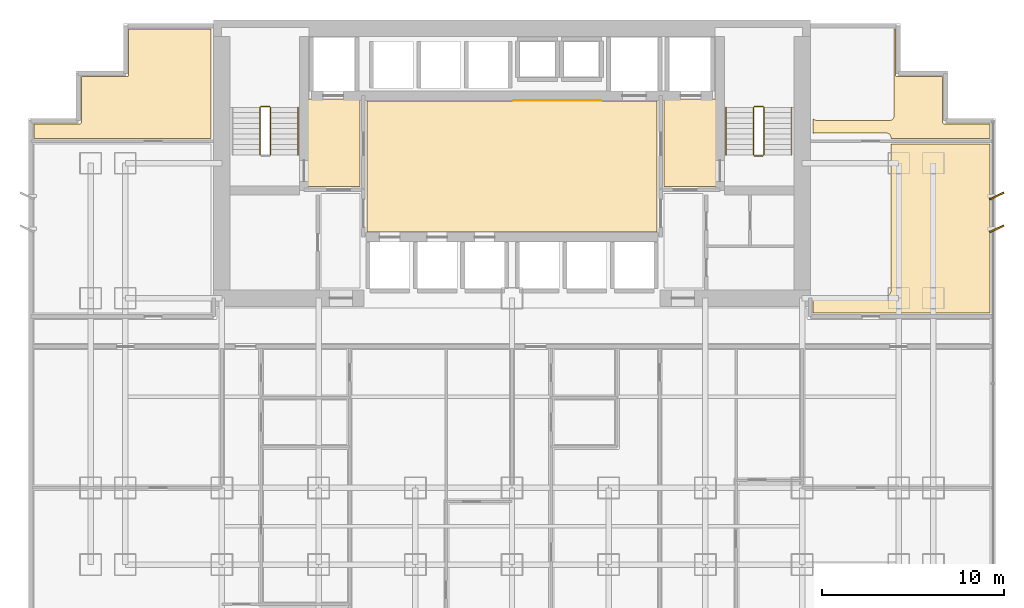
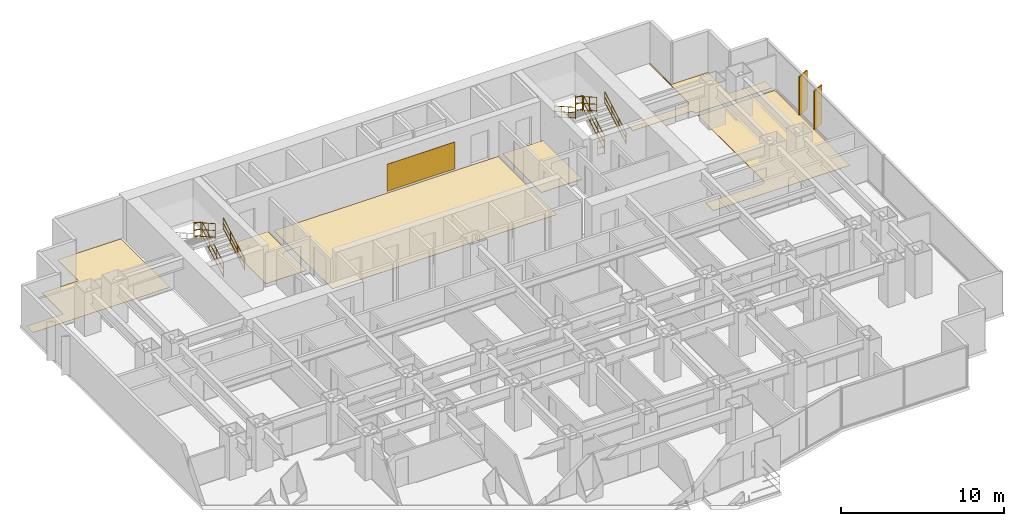
# One storey, part 12 of 12: 10 railings, 7 coverings, 2 shading devices.
"""IFC4 building model written with IfcOpenShell, lengths in metres."""

from ifc_helpers import new_model, si_unit, direction, frame, origin, origin_2d, place, context, subcontext, project, spatial, polyline, rectangle, circle, outline, extrude, source, transform, mapped, material, layer, layer_set, type_object, element, save


model = new_model("IFC4")

# Units and contexts
model_context = context("Model", 3, precision=1e-05, world=origin(), true_north=direction((0.0, 1.0)))
body_context = subcontext(model_context, "Body", "Model", "MODEL_VIEW")
ifc_project = project(units=[si_unit("LENGTHUNIT", "METRE"), si_unit("AREAUNIT", "SQUARE_METRE"), si_unit("VOLUMEUNIT", "CUBIC_METRE"), si_unit("PLANEANGLEUNIT", "RADIAN"), si_unit("MASSUNIT", "GRAM", prefix="KILO")], contexts=[model_context])

# Site, building, storey
site_placement = place(None, origin())
site = spatial("IfcSite", under=ifc_project, at=site_placement, CompositionType="ELEMENT")
building_placement = place(site_placement, origin())
building = spatial("IfcBuilding", under=site, at=building_placement, Name="Qianlan Lanfeng Residences", CompositionType="ELEMENT")
storey_placement = place(building_placement, frame((0.0, 0.0, 44.0)))
storey = spatial("IfcBuildingStorey", under=building, at=storey_placement, Name="L11", CompositionType="ELEMENT", Elevation=44.0)

# Coverings
ifc_material_1 = material(Name="Anodised Bronze Feature Wall Cladding")
ifc_layer_1 = layer(ifc_material_1, 0.02490234375)
ifc_layer_set_1 = layer_set([ifc_layer_1], Name="Anodised Bronze Feature Wall Cladding")
covering_type_1 = type_object("IfcCoveringType", Name="CLD-BRZ-25", PredefinedType="CLADDING", material=ifc_layer_set_1)
covering_1_placement = place(storey_placement, frame((0.0, 0.0, 0.14990234375)))
element("IfcCovering", 1, at=covering_1_placement, inside=storey, type_object=covering_type_1, Name="L11 Lift Lobby Bronze Feature Cladding", PredefinedType="CLADDING", context=body_context, shape_type="SweptSolid", body=[
    extrude(outline(polyline([(26.60009765625, 36.02490234375), (31.39990234375, 36.02490234375), (31.39990234375, 36.050048828125), (26.60009765625, 36.050048828125), (26.60009765625, 36.02490234375)])), origin(), (0.0, 0.0, 1.0), 2.02001953125),
])
ifc_material_2 = material(Name="Honed Taitung Granite Stone Flooring", Category="masonry")
ifc_layer_2 = layer(ifc_material_2, 0.030029296875)
ifc_layer_set_2 = layer_set([ifc_layer_2], Name="Honed Taitung Granite Stone Flooring")
covering_type_2 = type_object("IfcCoveringType", Name="FLR-STN-30", PredefinedType="FLOORING", material=ifc_layer_set_2)
covering_2_placement = place(storey_placement, origin())
element("IfcCovering", 2, at=covering_2_placement, inside=storey, type_object=covering_type_2, Name="L11 Firefighting Lift Lobby Floor Finish", PredefinedType="FLOORING", context=body_context, shape_type="SweptSolid", body=[
    extrude(outline(polyline([(15.2900390625, 31.320068359375), (18.179931640625, 31.320068359375), (18.179931640625, 36.110107421875), (15.2900390625, 36.110107421875), (15.2900390625, 31.320068359375)])), origin(), (0.0, 0.0, 1.0), 0.030029296875),
])
covering_3_placement = place(storey_placement, origin())
element("IfcCovering", 3, at=covering_3_placement, inside=storey, type_object=covering_type_2, Name="L11 Firefighting Lift Lobby Floor Finish", PredefinedType="FLOORING", context=body_context, shape_type="SweptSolid", body=[
    extrude(outline(polyline([(34.820068359375, 31.320068359375), (37.7099609375, 31.320068359375), (37.7099609375, 36.110107421875), (34.820068359375, 36.110107421875), (34.820068359375, 31.320068359375)])), origin(), (0.0, 0.0, 1.0), 0.030029296875),
])
covering_4_placement = place(storey_placement, origin())
element("IfcCovering", 4, at=covering_4_placement, inside=storey, type_object=covering_type_2, Name="L11 Lift Lobby Floor Finish", PredefinedType="FLOORING", context=body_context, shape_type="SweptSolid", body=[
    extrude(outline(polyline([(18.550048828125, 28.820068359375), (34.449951171875, 28.820068359375), (34.449951171875, 36.010009765625), (18.550048828125, 36.010009765625), (18.550048828125, 28.820068359375)])), origin(), (0.0, 0.0, 1.0), 0.030029296875),
])
ifc_material_3 = material(Name="Engineered Smoked Oak Timber Flooring", Category="wood")
ifc_layer_3 = layer(ifc_material_3, 0.02197265625)
ifc_layer_set_3 = layer_set([ifc_layer_3], Name="Engineered Smoked Oak Timber Flooring")
covering_type_3 = type_object("IfcCoveringType", Name="FLR-TIM-22", PredefinedType="FLOORING", material=ifc_layer_set_3)
covering_5_placement = place(storey_placement, origin())
element("IfcCovering", 5, at=covering_5_placement, inside=storey, type_object=covering_type_3, Name="L11 Resident Lounge Floor Finish", PredefinedType="FLOORING", context=body_context, shape_type="SweptSolid", body=[
    extrude(outline(polyline([(0.2900390625, 33.949951171875), (10.0, 33.949951171875), (10.0, 39.9599609375), (5.489990234375, 39.9599609375), (5.489990234375, 37.429931640625), (5.489990234375, 37.423095703125), (5.489013671875, 37.416015625), (5.487060546875, 37.409912109375), (5.485107421875, 37.403076171875), (5.48193359375, 37.39697265625), (5.47802734375, 37.39111328125), (5.47412109375, 37.385986328125), (5.468994140625, 37.381103515625), (5.464111328125, 37.3759765625), (5.458984375, 37.3720703125), (5.452880859375, 37.367919921875), (5.447021484375, 37.364990234375), (5.43994140625, 37.363037109375), (5.43408203125, 37.361083984375), (5.427001953125, 37.360107421875), (5.419921875, 37.360107421875), (2.889892578125, 37.360107421875), (2.889892578125, 34.830078125), (2.889892578125, 34.822998046875), (2.888916015625, 34.81591796875), (2.886962890625, 34.81005859375), (2.885009765625, 34.802978515625), (2.882080078125, 34.797119140625), (2.8779296875, 34.791015625), (2.8740234375, 34.785888671875), (2.868896484375, 34.781005859375), (2.864013671875, 34.77587890625), (2.85888671875, 34.77197265625), (2.85302734375, 34.76806640625), (2.846923828125, 34.764892578125), (2.840087890625, 34.762939453125), (2.833984375, 34.760986328125), (2.826904296875, 34.760009765625), (2.820068359375, 34.760009765625), (0.2900390625, 34.760009765625), (0.2900390625, 33.949951171875)])), origin(), (0.0, 0.0, 1.0), 0.02197265625),
])
covering_6_placement = place(storey_placement, origin())
element("IfcCovering", 6, at=covering_6_placement, inside=storey, type_object=covering_type_3, Name="L11 Piano Salon Floor Finish", PredefinedType="FLOORING", context=body_context, shape_type="SweptSolid", body=[
    extrude(outline(polyline([(52.7099609375, 33.64990234375), (47.27001953125, 33.64990234375), (47.27001953125, 25.60009765625), (47.26904296875, 25.574951171875), (47.264892578125, 25.551025390625), (47.259033203125, 25.527099609375), (47.2509765625, 25.50390625), (47.239990234375, 25.48193359375), (47.22802734375, 25.4609375), (47.212890625, 25.44091796875), (47.197021484375, 25.423095703125), (47.178955078125, 25.406982421875), (47.158935546875, 25.39208984375), (47.137939453125, 25.3798828125), (47.115966796875, 25.368896484375), (47.093017578125, 25.361083984375), (47.069091796875, 25.35498046875), (47.044921875, 25.35107421875), (47.02001953125, 25.35009765625), (43.080078125, 25.35009765625), (43.054931640625, 25.35107421875), (43.031005859375, 25.35498046875), (43.007080078125, 25.361083984375), (43.0, 25.363037109375), (43.0, 24.3798828125), (52.7099609375, 24.3798828125), (52.7099609375, 33.64990234375)])), origin(), (0.0, 0.0, 1.0), 0.02197265625),
])
covering_7_placement = place(storey_placement, origin())
element("IfcCovering", 7, at=covering_7_placement, inside=storey, type_object=covering_type_3, Name="L11 Resident Lounge Floor Finish", PredefinedType="FLOORING", context=body_context, shape_type="SweptSolid", body=[
    extrude(outline(polyline([(43.0, 34.237060546875), (43.007080078125, 34.239013671875), (43.031005859375, 34.2451171875), (43.054931640625, 34.2490234375), (43.080078125, 34.25), (47.02001953125, 34.25), (47.044921875, 34.2490234375), (47.069091796875, 34.2451171875), (47.093017578125, 34.239013671875), (47.115966796875, 34.23095703125), (47.137939453125, 34.219970703125), (47.158935546875, 34.2080078125), (47.178955078125, 34.193115234375), (47.197021484375, 34.177001953125), (47.212890625, 34.158935546875), (47.22802734375, 34.138916015625), (47.239990234375, 34.117919921875), (47.2509765625, 34.095947265625), (47.259033203125, 34.072998046875), (47.264892578125, 34.049072265625), (47.26904296875, 34.02490234375), (47.27001953125, 34.0), (47.27001953125, 33.949951171875), (52.7099609375, 33.949951171875), (52.7099609375, 34.760009765625), (50.179931640625, 34.760009765625), (50.173095703125, 34.760009765625), (50.166015625, 34.760986328125), (50.159912109375, 34.762939453125), (50.153076171875, 34.764892578125), (50.14697265625, 34.76806640625), (50.14111328125, 34.77197265625), (50.135986328125, 34.77587890625), (50.131103515625, 34.781005859375), (50.1259765625, 34.785888671875), (50.1220703125, 34.791015625), (50.117919921875, 34.797119140625), (50.114990234375, 34.802978515625), (50.113037109375, 34.81005859375), (50.111083984375, 34.81591796875), (50.110107421875, 34.822998046875), (50.110107421875, 34.830078125), (50.110107421875, 37.360107421875), (47.580078125, 37.360107421875), (47.572998046875, 37.360107421875), (47.56591796875, 37.361083984375), (47.56005859375, 37.363037109375), (47.552978515625, 37.364990234375), (47.547119140625, 37.367919921875), (47.541015625, 37.3720703125), (47.535888671875, 37.3759765625), (47.531005859375, 37.381103515625), (47.52587890625, 37.385986328125), (47.52197265625, 37.39111328125), (47.51806640625, 37.39697265625), (47.514892578125, 37.403076171875), (47.512939453125, 37.409912109375), (47.510986328125, 37.416015625), (47.510009765625, 37.423095703125), (47.510009765625, 37.429931640625), (47.510009765625, 39.9599609375), (47.449951171875, 39.9599609375), (47.449951171875, 35.199951171875), (47.448974609375, 35.175048828125), (47.445068359375, 35.15087890625), (47.43896484375, 35.126953125), (47.430908203125, 35.10400390625), (47.419921875, 35.08203125), (47.407958984375, 35.06103515625), (47.39306640625, 35.041015625), (47.376953125, 35.02294921875), (47.35888671875, 35.007080078125), (47.339111328125, 34.991943359375), (47.318115234375, 34.97998046875), (47.2958984375, 34.968994140625), (47.27294921875, 34.9609375), (47.2490234375, 34.955078125), (47.22509765625, 34.950927734375), (47.199951171875, 34.949951171875), (43.199951171875, 34.949951171875), (43.175048828125, 34.950927734375), (43.15087890625, 34.955078125), (43.126953125, 34.9609375), (43.10400390625, 34.968994140625), (43.08203125, 34.97998046875), (43.06103515625, 34.991943359375), (43.041015625, 35.007080078125), (43.02294921875, 35.02294921875), (43.007080078125, 35.041015625), (43.0, 35.050048828125), (43.0, 34.237060546875)])), origin(), (0.0, 0.0, 1.0), 0.02197265625),
])

# Railings
ifc_material_4 = material(Name="Painted Galvanised Steel Guardrail", Category="steel")
railing_type_1 = type_object("IfcRailingType", Name="GR-ST-1120", PredefinedType="GUARDRAIL", material=ifc_material_4)
railing_1_placement = place(storey_placement, frame((13.27001953125, 33.050048828125, 0.1650390625)))
element("IfcRailing", 8, at=railing_1_placement, inside=storey, type_object=railing_type_1, Name="L11 ST-1 stair guard 1", PredefinedType="GUARDRAIL", context=body_context, shape_type="SweptSolid", body=[
    extrude(circle(Radius=0.02392578125, at=origin_2d()), frame((0.0, 0.0, 0.083984375), z_axis=(0.0, 0.869172267526, 0.494509422927), x_axis=(-1.0, 0.0, 0.0)), (0.0, 0.0, 1.0), 3.002685546875),
    extrude(circle(Radius=0.02392578125, at=origin_2d()), frame((0.0, 0.0, 0.58251953125), z_axis=(0.0, 0.869172267526, 0.494509422927), x_axis=(-1.0, 0.0, 0.0)), (0.0, 0.0, 1.0), 3.002685546875),
    extrude(circle(Radius=0.02392578125, at=origin_2d()), frame((0.0, 0.0, 1.09619140625), z_axis=(0.0, 0.869172267526, 0.494509422927), x_axis=(-1.0, 0.0, 0.0)), (0.0, 0.0, 1.0), 3.002685546875),
    extrude(circle(Radius=0.02099609375, at=origin_2d()), origin(), (0.0, 0.0, 1.0), 1.072021484375),
    extrude(circle(Radius=0.02099609375, at=origin_2d()), frame((0.0, 0.869873046875, 0.494873046875)), (0.0, 0.0, 1.0), 1.072021484375),
    extrude(circle(Radius=0.02099609375, at=origin_2d()), frame((0.0, 1.739990234375, 0.989990234375)), (0.0, 0.0, 1.0), 1.072021484375),
    extrude(circle(Radius=0.02099609375, at=origin_2d()), frame((0.0, 2.60986328125, 1.48486328125)), (0.0, 0.0, 1.0), 1.072021484375),
])
railing_2_placement = place(storey_placement, frame((13.219970703125, 35.7099609375, 1.64990234375)))
element("IfcRailing", 9, at=railing_2_placement, inside=storey, type_object=railing_type_1, Name="L11 ST-1 stair guard 2", PredefinedType="GUARDRAIL", context=body_context, shape_type="SweptSolid", body=[
    extrude(circle(Radius=0.02392578125, at=origin_2d()), frame((0.0, 0.0, 0.083984375), z_axis=(-1.0, 0.0, 0.0), x_axis=(0.0, -1.0, 0.0)), (0.0, 0.0, 1.0), 0.47998046875),
    extrude(circle(Radius=0.02392578125, at=origin_2d()), frame((0.0, 0.0, 0.58251953125), z_axis=(-1.0, 0.0, 0.0), x_axis=(0.0, -1.0, 0.0)), (0.0, 0.0, 1.0), 0.47998046875),
    extrude(circle(Radius=0.02392578125, at=origin_2d()), frame((0.0, 0.0, 1.09619140625), z_axis=(-1.0, 0.0, 0.0), x_axis=(0.0, -1.0, 0.0)), (0.0, 0.0, 1.0), 0.47998046875),
    extrude(circle(Radius=0.02099609375, at=origin_2d()), origin(), (0.0, 0.0, 1.0), 1.072021484375),
    extrude(circle(Radius=0.02099609375, at=origin_2d()), frame((-0.47998046875, 0.0, 0.0)), (0.0, 0.0, 1.0), 1.072021484375),
])
railing_3_placement = place(storey_placement, frame((12.68994140625, 35.659912109375, 1.81494140625)))
element("IfcRailing", 10, at=railing_3_placement, inside=storey, type_object=railing_type_1, Name="L11 ST-1 stair guard 3", PredefinedType="GUARDRAIL", context=body_context, shape_type="SweptSolid", body=[
    extrude(circle(Radius=0.02392578125, at=origin_2d()), frame((0.0, 0.0, 0.083984375), z_axis=(0.0, -0.869137319866, 0.494570843475), x_axis=(1.0, 0.0, 0.0)), (0.0, 0.0, 1.0), 3.0029296875),
    extrude(circle(Radius=0.02392578125, at=origin_2d()), frame((0.0, 0.0, 0.58251953125), z_axis=(0.0, -0.869137319866, 0.494570843475), x_axis=(1.0, 0.0, 0.0)), (0.0, 0.0, 1.0), 3.0029296875),
    extrude(circle(Radius=0.02392578125, at=origin_2d()), frame((0.0, 0.0, 1.09619140625), z_axis=(0.0, -0.869137319866, 0.494570843475), x_axis=(1.0, 0.0, 0.0)), (0.0, 0.0, 1.0), 3.0029296875),
    extrude(circle(Radius=0.02099609375, at=origin_2d()), origin(), (0.0, 0.0, 1.0), 1.072021484375),
    extrude(circle(Radius=0.02099609375, at=origin_2d()), frame((0.0, -0.869873046875, 0.4951171875)), (0.0, 0.0, 1.0), 1.072021484375),
    extrude(circle(Radius=0.02099609375, at=origin_2d()), frame((0.0, -1.739990234375, 0.989990234375)), (0.0, 0.0, 1.0), 1.072021484375),
    extrude(circle(Radius=0.02099609375, at=origin_2d()), frame((0.0, -2.60986328125, 1.485107421875)), (0.0, 0.0, 1.0), 1.072021484375),
])
railing_4_placement = place(storey_placement, frame((40.31005859375, 33.050048828125, 0.1650390625)))
element("IfcRailing", 11, at=railing_4_placement, inside=storey, type_object=railing_type_1, Name="L11 ST-2 stair guard 1", PredefinedType="GUARDRAIL", context=body_context, shape_type="SweptSolid", body=[
    extrude(circle(Radius=0.02392578125, at=origin_2d()), frame((0.0, 0.0, 0.083984375), z_axis=(0.0, 0.869172267526, 0.494509422927), x_axis=(-1.0, 0.0, 0.0)), (0.0, 0.0, 1.0), 3.002685546875),
    extrude(circle(Radius=0.02392578125, at=origin_2d()), frame((0.0, 0.0, 0.58251953125), z_axis=(0.0, 0.869172267526, 0.494509422927), x_axis=(-1.0, 0.0, 0.0)), (0.0, 0.0, 1.0), 3.002685546875),
    extrude(circle(Radius=0.02392578125, at=origin_2d()), frame((0.0, 0.0, 1.09619140625), z_axis=(0.0, 0.869172267526, 0.494509422927), x_axis=(-1.0, 0.0, 0.0)), (0.0, 0.0, 1.0), 3.002685546875),
    extrude(circle(Radius=0.02099609375, at=origin_2d()), origin(), (0.0, 0.0, 1.0), 1.072021484375),
    extrude(circle(Radius=0.02099609375, at=origin_2d()), frame((0.0, 0.869873046875, 0.494873046875)), (0.0, 0.0, 1.0), 1.072021484375),
    extrude(circle(Radius=0.02099609375, at=origin_2d()), frame((0.0, 1.739990234375, 0.989990234375)), (0.0, 0.0, 1.0), 1.072021484375),
    extrude(circle(Radius=0.02099609375, at=origin_2d()), frame((0.0, 2.60986328125, 1.48486328125)), (0.0, 0.0, 1.0), 1.072021484375),
])
railing_5_placement = place(storey_placement, frame((40.260009765625, 35.7099609375, 1.64990234375)))
element("IfcRailing", 12, at=railing_5_placement, inside=storey, type_object=railing_type_1, Name="L11 ST-2 stair guard 2", PredefinedType="GUARDRAIL", context=body_context, shape_type="SweptSolid", body=[
    extrude(circle(Radius=0.02392578125, at=origin_2d()), frame((0.0, 0.0, 0.083984375), z_axis=(-1.0, 0.0, 0.0), x_axis=(0.0, -1.0, 0.0)), (0.0, 0.0, 1.0), 0.47998046875),
    extrude(circle(Radius=0.02392578125, at=origin_2d()), frame((0.0, 0.0, 0.58251953125), z_axis=(-1.0, 0.0, 0.0), x_axis=(0.0, -1.0, 0.0)), (0.0, 0.0, 1.0), 0.47998046875),
    extrude(circle(Radius=0.02392578125, at=origin_2d()), frame((0.0, 0.0, 1.09619140625), z_axis=(-1.0, 0.0, 0.0), x_axis=(0.0, -1.0, 0.0)), (0.0, 0.0, 1.0), 0.47998046875),
    extrude(circle(Radius=0.02099609375, at=origin_2d()), origin(), (0.0, 0.0, 1.0), 1.072021484375),
    extrude(circle(Radius=0.02099609375, at=origin_2d()), frame((-0.47998046875, 0.0, 0.0)), (0.0, 0.0, 1.0), 1.072021484375),
])
railing_6_placement = place(storey_placement, frame((39.72998046875, 35.659912109375, 1.81494140625)))
element("IfcRailing", 13, at=railing_6_placement, inside=storey, type_object=railing_type_1, Name="L11 ST-2 stair guard 3", PredefinedType="GUARDRAIL", context=body_context, shape_type="SweptSolid", body=[
    extrude(circle(Radius=0.02392578125, at=origin_2d()), frame((0.0, 0.0, 0.083984375), z_axis=(0.0, -0.869137319866, 0.494570843475), x_axis=(1.0, 0.0, 0.0)), (0.0, 0.0, 1.0), 3.0029296875),
    extrude(circle(Radius=0.02392578125, at=origin_2d()), frame((0.0, 0.0, 0.58251953125), z_axis=(0.0, -0.869137319866, 0.494570843475), x_axis=(1.0, 0.0, 0.0)), (0.0, 0.0, 1.0), 3.0029296875),
    extrude(circle(Radius=0.02392578125, at=origin_2d()), frame((0.0, 0.0, 1.09619140625), z_axis=(0.0, -0.869137319866, 0.494570843475), x_axis=(1.0, 0.0, 0.0)), (0.0, 0.0, 1.0), 3.0029296875),
    extrude(circle(Radius=0.02099609375, at=origin_2d()), origin(), (0.0, 0.0, 1.0), 1.072021484375),
    extrude(circle(Radius=0.02099609375, at=origin_2d()), frame((0.0, -0.869873046875, 0.4951171875)), (0.0, 0.0, 1.0), 1.072021484375),
    extrude(circle(Radius=0.02099609375, at=origin_2d()), frame((0.0, -1.739990234375, 0.989990234375)), (0.0, 0.0, 1.0), 1.072021484375),
    extrude(circle(Radius=0.02099609375, at=origin_2d()), frame((0.0, -2.60986328125, 1.485107421875)), (0.0, 0.0, 1.0), 1.072021484375),
])
railing_7_placement = place(storey_placement, frame((40.260009765625, 33.0, 0.0)))
element("IfcRailing", 14, at=railing_7_placement, inside=storey, type_object=railing_type_1, Name="L11 ST-2 stair guard 4", PredefinedType="GUARDRAIL", context=body_context, shape_type="SweptSolid", body=[
    extrude(circle(Radius=0.02392578125, at=origin_2d()), frame((0.0, 0.0, 0.083984375), z_axis=(-1.0, 0.0, 0.0), x_axis=(0.0, -1.0, 0.0)), (0.0, 0.0, 1.0), 0.47998046875),
    extrude(circle(Radius=0.02392578125, at=origin_2d()), frame((0.0, 0.0, 0.58251953125), z_axis=(-1.0, 0.0, 0.0), x_axis=(0.0, -1.0, 0.0)), (0.0, 0.0, 1.0), 0.47998046875),
    extrude(circle(Radius=0.02392578125, at=origin_2d()), frame((0.0, 0.0, 1.09619140625), z_axis=(-1.0, 0.0, 0.0), x_axis=(0.0, -1.0, 0.0)), (0.0, 0.0, 1.0), 0.47998046875),
    extrude(circle(Radius=0.02099609375, at=origin_2d()), origin(), (0.0, 0.0, 1.0), 1.072021484375),
    extrude(circle(Radius=0.02099609375, at=origin_2d()), frame((-0.47998046875, 0.0, 0.0)), (0.0, 0.0, 1.0), 1.072021484375),
])
ifc_material_5 = material(Name="Brushed Stainless Steel Handrail", Category="steel")
railing_type_2 = type_object("IfcRailingType", Name="HR-ST-920", PredefinedType="HANDRAIL", material=ifc_material_5)
for number, where, name in (
    (15, (14.77001953125, 33.050048828125, 0.1650390625), "L11 ST-1 stair handrail 1"),
    (16, (41.81005859375, 33.050048828125, 0.1650390625), "L11 ST-2 stair handrail 1"),
):
    element("IfcRailing", number, at=place(storey_placement, frame(where)), inside=storey, type_object=railing_type_2, Name=name, PredefinedType="HANDRAIL", context=body_context, shape_type="SweptSolid", body=[
        extrude(circle(Radius=0.02392578125, at=origin_2d()), frame((0.0, 0.0, 0.083984375), z_axis=(0.0, 0.869172267526, 0.494509422927), x_axis=(-1.0, 0.0, 0.0)), (0.0, 0.0, 1.0), 3.002685546875),
        extrude(circle(Radius=0.02392578125, at=origin_2d()), frame((0.0, 0.0, 0.468017578125), z_axis=(0.0, 0.869172267526, 0.494509422927), x_axis=(-1.0, 0.0, 0.0)), (0.0, 0.0, 1.0), 3.002685546875),
        extrude(circle(Radius=0.02392578125, at=origin_2d()), frame((0.0, 0.0, 0.8759765625), z_axis=(0.0, 0.869172267526, 0.494509422927), x_axis=(-1.0, 0.0, 0.0)), (0.0, 0.0, 1.0), 3.002685546875),
        extrude(circle(Radius=0.02099609375, at=origin_2d()), origin(), (0.0, 0.0, 1.0), 0.851806640625),
        extrude(circle(Radius=0.02099609375, at=origin_2d()), frame((0.0, 0.869873046875, 0.494873046875)), (0.0, 0.0, 1.0), 0.851806640625),
        extrude(circle(Radius=0.02099609375, at=origin_2d()), frame((0.0, 1.739990234375, 0.989990234375)), (0.0, 0.0, 1.0), 0.851806640625),
        extrude(circle(Radius=0.02099609375, at=origin_2d()), frame((0.0, 2.60986328125, 1.48486328125)), (0.0, 0.0, 1.0), 0.851806640625),
    ])
railing_8_placement = place(storey_placement, frame((38.22998046875, 35.659912109375, 1.81494140625)))
element("IfcRailing", 17, at=railing_8_placement, inside=storey, type_object=railing_type_2, Name="L11 ST-2 stair handrail 2", PredefinedType="HANDRAIL", context=body_context, shape_type="SweptSolid", body=[
    extrude(circle(Radius=0.02392578125, at=origin_2d()), frame((0.0, 0.0, 0.083984375), z_axis=(0.0, -0.869137319866, 0.494570843475), x_axis=(1.0, 0.0, 0.0)), (0.0, 0.0, 1.0), 3.0029296875),
    extrude(circle(Radius=0.02392578125, at=origin_2d()), frame((0.0, 0.0, 0.468017578125), z_axis=(0.0, -0.869137319866, 0.494570843475), x_axis=(1.0, 0.0, 0.0)), (0.0, 0.0, 1.0), 3.0029296875),
    extrude(circle(Radius=0.02392578125, at=origin_2d()), frame((0.0, 0.0, 0.8759765625), z_axis=(0.0, -0.869137319866, 0.494570843475), x_axis=(1.0, 0.0, 0.0)), (0.0, 0.0, 1.0), 3.0029296875),
    extrude(circle(Radius=0.02099609375, at=origin_2d()), origin(), (0.0, 0.0, 1.0), 0.851806640625),
    extrude(circle(Radius=0.02099609375, at=origin_2d()), frame((0.0, -0.869873046875, 0.4951171875)), (0.0, 0.0, 1.0), 0.851806640625),
    extrude(circle(Radius=0.02099609375, at=origin_2d()), frame((0.0, -1.739990234375, 0.989990234375)), (0.0, 0.0, 1.0), 0.851806640625),
    extrude(circle(Radius=0.02099609375, at=origin_2d()), frame((0.0, -2.60986328125, 1.485107421875)), (0.0, 0.0, 1.0), 0.851806640625),
])

# Shading devices
ifc_material_6 = material(Name="Anodised Bronze Aluminium Solar Fin", Category="aluminium")
shading_device_type = type_object("IfcShadingDeviceType", Name="FIN-BRZ-850", PredefinedType="SHUTTER", material=ifc_material_6)
shared_shape = source(origin(), body_context, "Body", "SweptSolid", [
    extrude(rectangle(XDim=0.85009765625, YDim=0.080078125, at=origin_2d()), origin(), (0.0, 0.0, 1.0), 2.89990234375),
])
for number, where, z_axis, x_axis, name in (
    (18, (53.070068359375, 29.0, 0.0), (0.0, 0.0, 1.0), (0.898794046299, 0.438371146789, 0.0), "L11 Raked Bronze Solar Fin E1"),
    (19, (53.070068359375, 30.800048828125, 0.0), (0.0, 0.0, 1.0), (0.898794046299, 0.438371146789, 0.0), "L11 Raked Bronze Solar Fin E2"),
):
    element("IfcShadingDevice", number, at=place(storey_placement, frame(where, z_axis=z_axis, x_axis=x_axis)), inside=storey, type_object=shading_device_type, Name=name, PredefinedType="SHUTTER", context=body_context, shape_type="MappedRepresentation", body=[
        mapped(shared_shape, transform((0.0, 0.0, 0.0), scale=1.0)),
    ])

save(model, "model.ifc")
